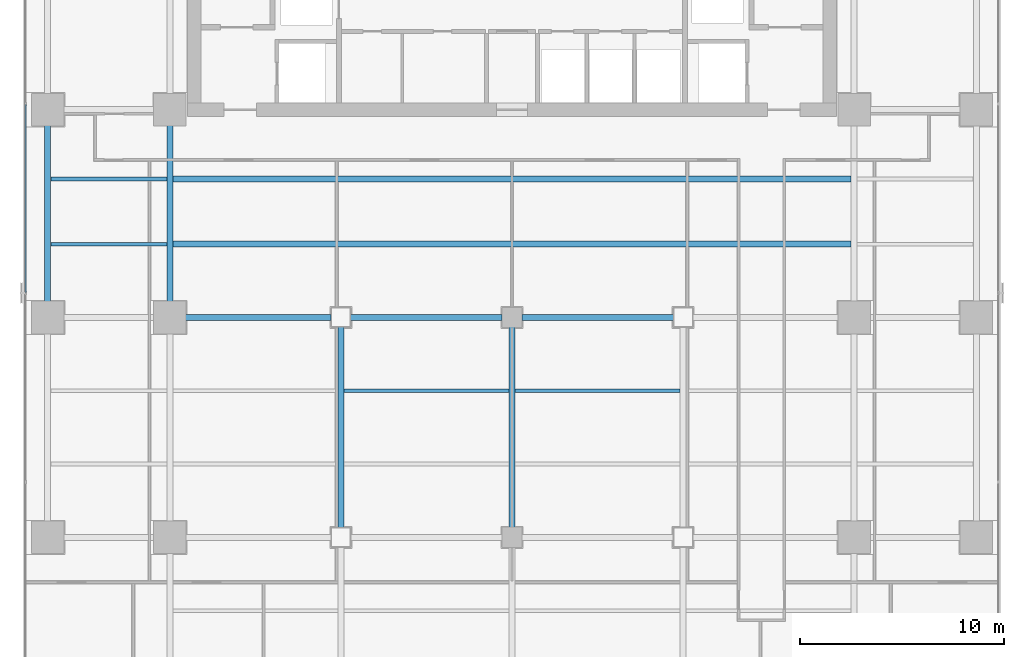
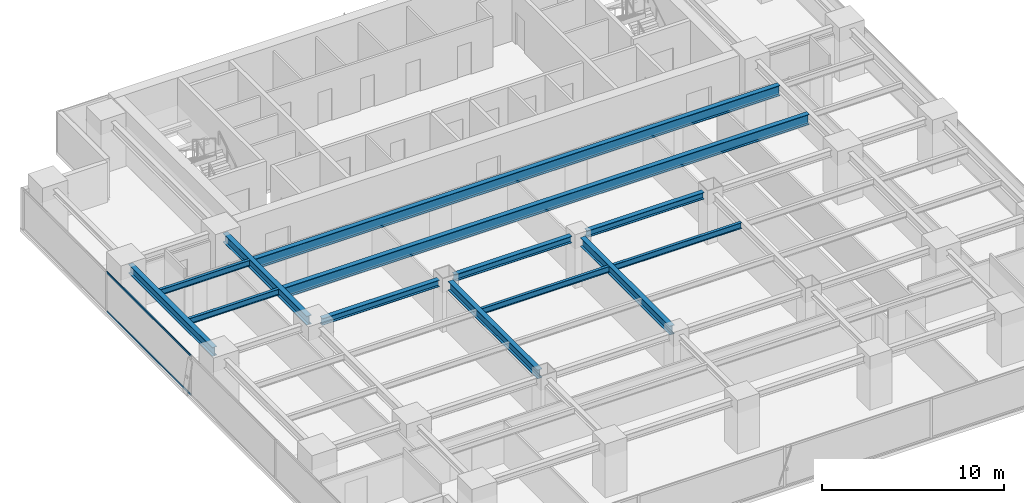
# One storey, part 8 of 28: 13 beams, 2 members, 1 element without a shape of its own.
"""IFC4 building model written with IfcOpenShell, lengths in metres."""

from ifc_helpers import new_model, si_unit, direction, frame, origin, origin_2d, place, context, subcontext, project, spatial, hollow_rectangle, i_section, extrude, source, transform, mapped, material, layer, layer_set, material_profile, profile_set, type_object, element, aggregate, save


model = new_model("IFC4")

# Units and contexts
model_context = context("Model", 3, precision=1e-05, world=origin(), true_north=direction((0.0, 1.0)))
body_context = subcontext(model_context, "Body", "Model", "MODEL_VIEW")
ifc_project = project(units=[si_unit("LENGTHUNIT", "METRE"), si_unit("AREAUNIT", "SQUARE_METRE"), si_unit("VOLUMEUNIT", "CUBIC_METRE"), si_unit("PLANEANGLEUNIT", "RADIAN"), si_unit("MASSUNIT", "GRAM", prefix="KILO")], contexts=[model_context])

# Site, building, storey
site_placement = place(None, origin())
site = spatial("IfcSite", under=ifc_project, at=site_placement, CompositionType="ELEMENT")
building_placement = place(site_placement, origin())
building = spatial("IfcBuilding", under=site, at=building_placement, Name="Sumidabori Civic Tower", CompositionType="ELEMENT")
storey_placement = place(building_placement, frame((0.0, 0.0, 185.60009765625)))
storey = spatial("IfcBuildingStorey", under=building, at=storey_placement, Name="L48", CompositionType="ELEMENT", Elevation=185.60009765625)

# Beams
ifc_material_1 = material(Name="Steel SN490", Category="steel")
ifc_material_profile_1 = material_profile(ifc_material_1, i_section(OverallWidth=0.300048828125, OverallDepth=0.60009765625, WebThickness=0.015380859375, FlangeThickness=0.030029296875, at=origin_2d()), Name="HE 600 B")
ifc_profile_set_1 = profile_set([ifc_material_profile_1], Name="Steel SN490")
beam_type_1 = type_object("IfcBeamType", Name="BM-GIRD-600", PredefinedType="BEAM", material=ifc_profile_set_1)
shared_shape_1 = source(origin(), body_context, "Body", "SweptSolid", [
    extrude(i_section(OverallWidth=0.300048828125, OverallDepth=0.60009765625, WebThickness=0.015380859375, FlangeThickness=0.030029296875, at=origin_2d()), origin(), (0.0, 0.0, 1.0), 9.840087890625),
])
for number, where, z_axis, x_axis, name in (
    (1, (-8.39990234375, -10.320068359375, 3.0), (0.0, 1.0, 0.0), (-1.0, 0.0, 0.0), "Primary Girder L48 GY-27"),
    (2, (0.0, -10.320068359375, 3.0), (0.0, 1.0, 0.0), (-1.0, 0.0, 0.0), "Primary Girder L48 GY-29"),
):
    element("IfcBeam", number, at=place(storey_placement, frame(where, z_axis=z_axis, x_axis=x_axis)), inside=storey, type_object=beam_type_1, Name=name, PredefinedType="BEAM", context=body_context, shape_type="MappedRepresentation", body=[
        mapped(shared_shape_1, transform((0.0, 0.0, 0.0), x_axis=(1.0, 0.0, 0.0), y_axis=(0.0, 1.0, 0.0), z_axis=(0.0, 0.0, 1.0), scale=1.0)),
    ])
shared_shape_2 = source(origin(), body_context, "Body", "SweptSolid", [
    extrude(i_section(OverallWidth=0.300048828125, OverallDepth=0.60009765625, WebThickness=0.015380859375, FlangeThickness=0.030029296875, at=origin_2d()), origin(), (0.0, 0.0, 1.0), 9.239990234375),
])
for number, where, z_axis, x_axis, name in (
    (3, (-22.800048828125, 0.47998046875, 3.0), (0.0, 1.0, 0.0), (-1.0, 0.0, 0.0), "Primary Girder L48 GY-20"),
    (4, (-16.800048828125, 0.47998046875, 3.0), (0.0, 1.0, 0.0), (-1.0, 0.0, 0.0), "Primary Girder L48 GY-24"),
):
    element("IfcBeam", number, at=place(storey_placement, frame(where, z_axis=z_axis, x_axis=x_axis)), inside=storey, type_object=beam_type_1, Name=name, PredefinedType="BEAM", context=body_context, shape_type="MappedRepresentation", body=[
        mapped(shared_shape_2, transform((0.0, 0.0, 0.0), x_axis=(1.0, 0.0, 0.0), y_axis=(0.0, 1.0, 0.0), z_axis=(0.0, 0.0, 1.0), scale=1.0)),
    ])
ifc_material_profile_2 = material_profile(ifc_material_1, i_section(OverallWidth=0.300048828125, OverallDepth=0.699951171875, WebThickness=0.01708984375, FlangeThickness=0.031982421875, at=origin_2d()), Name="HE 700 B")
ifc_profile_set_2 = profile_set([ifc_material_profile_2], Name="Steel SN490")
beam_type_2 = type_object("IfcBeamType", Name="BM-GIRD-700", PredefinedType="BEAM", material=ifc_profile_set_2)
shared_shape_3 = source(origin(), body_context, "Body", "SweptSolid", [
    extrude(i_section(OverallWidth=0.300048828125, OverallDepth=0.699951171875, WebThickness=0.01708984375, FlangeThickness=0.031982421875, at=origin_2d()), origin(), (0.0, 0.0, 1.0), 33.2998046875),
])
for number, where, z_axis, x_axis, name in (
    (5, (-16.64990234375, 3.60009765625, 2.949951171875), (1.0, 0.0, 0.0), (0.0, 1.0, 0.0), "North Bay Floor Beam L48 JSTN-47"),
    (6, (-16.64990234375, 6.800048828125, 2.949951171875), (1.0, 0.0, 0.0), (0.0, 1.0, 0.0), "North Bay Floor Beam L48 JSTN-48"),
):
    element("IfcBeam", number, at=place(storey_placement, frame(where, z_axis=z_axis, x_axis=x_axis)), inside=storey, type_object=beam_type_2, Name=name, PredefinedType="BEAM", context=body_context, shape_type="MappedRepresentation", body=[
        mapped(shared_shape_3, transform((0.0, 0.0, 0.0), x_axis=(1.0, 0.0, 0.0), y_axis=(0.0, 1.0, 0.0), z_axis=(0.0, 0.0, 1.0), scale=1.0)),
    ])
ifc_material_profile_3 = material_profile(ifc_material_1, i_section(OverallWidth=0.179931640625, OverallDepth=0.39990234375, WebThickness=0.008544921875, FlangeThickness=0.013427734375, at=origin_2d()), Name="IPE 400")
ifc_profile_set_3 = profile_set([ifc_material_profile_3], Name="Steel SN490")
beam_type_3 = type_object("IfcBeamType", Name="BM-JST-400", PredefinedType="JOIST", material=ifc_profile_set_3)
shared_shape_4 = source(origin(), body_context, "Body", "SweptSolid", [
    extrude(i_section(OverallWidth=0.179931640625, OverallDepth=0.39990234375, WebThickness=0.008544921875, FlangeThickness=0.013427734375, at=origin_2d()), origin(), (0.0, 0.0, 1.0), 5.699951171875),
])
for number, where, z_axis, x_axis, name in (
    (7, (-22.64990234375, 3.60009765625, 3.099853515625), (1.0, 0.0, 0.0), (0.0, 1.0, 0.0), "Outer Bay Floor Joist L48 JSTO-43"),
    (8, (-22.64990234375, 6.800048828125, 3.099853515625), (1.0, 0.0, 0.0), (0.0, 1.0, 0.0), "Outer Bay Floor Joist L48 JSTO-45"),
):
    element("IfcBeam", number, at=place(storey_placement, frame(where, z_axis=z_axis, x_axis=x_axis)), inside=storey, type_object=beam_type_3, Name=name, PredefinedType="JOIST", context=body_context, shape_type="MappedRepresentation", body=[
        mapped(shared_shape_4, transform((0.0, 0.0, 0.0), x_axis=(1.0, 0.0, 0.0), y_axis=(0.0, 1.0, 0.0), z_axis=(0.0, 0.0, 1.0), scale=1.0)),
    ])
shared_shape_5 = source(origin(), body_context, "Body", "SweptSolid", [
    extrude(i_section(OverallWidth=0.179931640625, OverallDepth=0.39990234375, WebThickness=0.008544921875, FlangeThickness=0.013427734375, at=origin_2d()), origin(), (0.0, 0.0, 1.0), 8.10009765625),
])
for number, where, z_axis, x_axis, name in (
    (9, (-8.25, -3.60009765625, 3.099853515625), (1.0, 0.0, 0.0), (0.0, 1.0, 0.0), "South Bay Floor Joist L48 JSTS-58"),
    (10, (0.14990234375, -3.60009765625, 3.099853515625), (1.0, 0.0, 0.0), (0.0, 1.0, 0.0), "South Bay Floor Joist L48 JSTS-59"),
):
    element("IfcBeam", number, at=place(storey_placement, frame(where, z_axis=z_axis, x_axis=x_axis)), inside=storey, type_object=beam_type_3, Name=name, PredefinedType="JOIST", context=body_context, shape_type="MappedRepresentation", body=[
        mapped(shared_shape_5, transform((0.0, 0.0, 0.0), x_axis=(1.0, 0.0, 0.0), y_axis=(0.0, 1.0, 0.0), z_axis=(0.0, 0.0, 1.0), scale=1.0)),
    ])
ifc_material_profile_4 = material_profile(ifc_material_1, i_section(OverallWidth=0.300048828125, OverallDepth=0.449951171875, WebThickness=0.013916015625, FlangeThickness=0.02587890625, at=origin_2d()), Name="HE 450 B")
ifc_profile_set_4 = profile_set([ifc_material_profile_4], Name="Steel SN490")
beam_type_4 = type_object("IfcBeamType", Name="BM-GIRD-450", PredefinedType="BEAM", material=ifc_profile_set_4)
shared_shape_6 = source(origin(), body_context, "Body", "SweptSolid", [
    extrude(i_section(OverallWidth=0.300048828125, OverallDepth=0.449951171875, WebThickness=0.013916015625, FlangeThickness=0.02587890625, at=origin_2d()), origin(), (0.0, 0.0, 1.0), 7.440185546875),
])
beam_placement = place(storey_placement, frame((-16.320068359375, 0.0, 3.074951171875), z_axis=(1.0, 0.0, 0.0), x_axis=(0.0, 1.0, 0.0)))
element("IfcBeam", 11, at=beam_placement, inside=storey, type_object=beam_type_4, Name="Primary Girder L48 GX-12", PredefinedType="BEAM", context=body_context, shape_type="MappedRepresentation", body=[
    mapped(shared_shape_6, transform((0.0, 0.0, 0.0), x_axis=(1.0, 0.0, 0.0), y_axis=(0.0, 1.0, 0.0), z_axis=(0.0, 0.0, 1.0), scale=1.0)),
])
shared_shape_7 = source(origin(), body_context, "Body", "SweptSolid", [
    extrude(i_section(OverallWidth=0.300048828125, OverallDepth=0.449951171875, WebThickness=0.013916015625, FlangeThickness=0.02587890625, at=origin_2d()), origin(), (0.0, 0.0, 1.0), 7.43994140625),
])
for number, where, z_axis, x_axis, name in (
    (12, (-7.919921875, 0.0, 3.074951171875), (1.0, 0.0, 0.0), (0.0, 1.0, 0.0), "Primary Girder L48 GX-13"),
    (13, (0.47998046875, 0.0, 3.074951171875), (1.0, 0.0, 0.0), (0.0, 1.0, 0.0), "Primary Girder L48 GX-14"),
):
    element("IfcBeam", number, at=place(storey_placement, frame(where, z_axis=z_axis, x_axis=x_axis)), inside=storey, type_object=beam_type_4, Name=name, PredefinedType="BEAM", context=body_context, shape_type="MappedRepresentation", body=[
        mapped(shared_shape_7, transform((0.0, 0.0, 0.0), x_axis=(1.0, 0.0, 0.0), y_axis=(0.0, 1.0, 0.0), z_axis=(0.0, 0.0, 1.0), scale=1.0)),
    ])

# Curtain wall, members
ifc_material_2 = material(Name="Anodised Bronze Aluminium AW-6063-T6", Category="aluminium")
ifc_layer = layer(ifc_material_2, 0.179931640625, Name="Anodised Bronze Aluminium AW-6063-T6")
ifc_layer_set = layer_set([ifc_layer], Name="Anodised Bronze Aluminium AW-6063-T6")
curtain_wall_type = type_object("IfcCurtainWallType", Name="CW-SYS-3", PredefinedType="NOTDEFINED", material=ifc_layer_set)
curtain_wall_placement = place(storey_placement, origin())
curtain_wall = element("IfcCurtainWall", 14, at=curtain_wall_placement, inside=storey, type_object=curtain_wall_type, Name="Curtain Wall CW:L48:R10", PredefinedType="NOTDEFINED")
ifc_material_profile_5 = material_profile(ifc_material_2, hollow_rectangle(XDim=0.06005859375, YDim=0.1298828125, WallThickness=0.0048828125, at=origin_2d()), Name="ALU TRANSOM 130x60")
ifc_profile_set_5 = profile_set([ifc_material_profile_5], Name="Anodised Bronze Aluminium AW-6063-T6")
member_type = type_object("IfcMemberType", Name="CW-TRN-130", PredefinedType="USERDEFINED", material=ifc_profile_set_5)
shared_shape_8 = source(origin(), body_context, "Body", "SweptSolid", [
    extrude(hollow_rectangle(XDim=0.06005859375, YDim=0.1298828125, WallThickness=0.0048828125, at=origin_2d()), origin(), (0.0, 0.0, 1.0), 9.219970703125),
])
member_1_placement = place(storey_placement, frame((-23.8798828125, 10.452392578125, 0.02978515625), z_axis=(0.0, -1.0, 0.0), x_axis=(1.0, 0.0, 0.0)))
member_1 = element("IfcMember", 15, at=member_1_placement, type_object=member_type, Name="CW-3 transom 2.1", ObjectType="TRANSOM", PredefinedType="USERDEFINED", context=body_context, shape_type="MappedRepresentation", body=[
    mapped(shared_shape_8, transform((0.0, 0.0, 0.0), x_axis=(1.0, 0.0, 0.0), y_axis=(0.0, 1.0, 0.0), z_axis=(0.0, 0.0, 1.0), scale=1.0)),
])
member_2_placement = place(storey_placement, frame((-23.8798828125, 10.452392578125, 2.64990234375), z_axis=(0.0, -1.0, 0.0), x_axis=(1.0, 0.0, 0.0)))
member_2 = element("IfcMember", 16, at=member_2_placement, type_object=member_type, Name="CW-3 transom 2.2", ObjectType="TRANSOM", PredefinedType="USERDEFINED", context=body_context, shape_type="MappedRepresentation", body=[
    mapped(shared_shape_8, transform((0.0, 0.0, 0.0), x_axis=(1.0, 0.0, 0.0), y_axis=(0.0, 1.0, 0.0), z_axis=(0.0, 0.0, 1.0), scale=1.0)),
])
aggregate(curtain_wall, [member_1, member_2])

save(model, "model.ifc")
